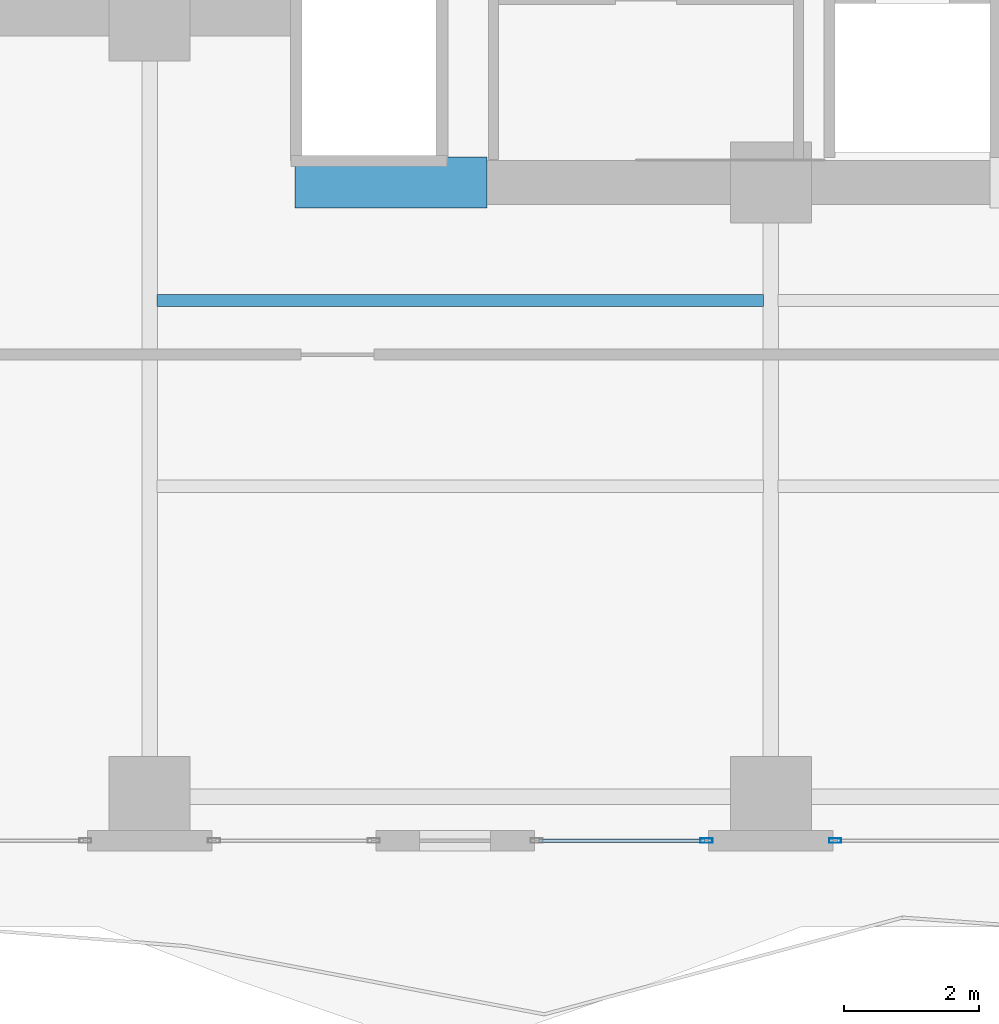
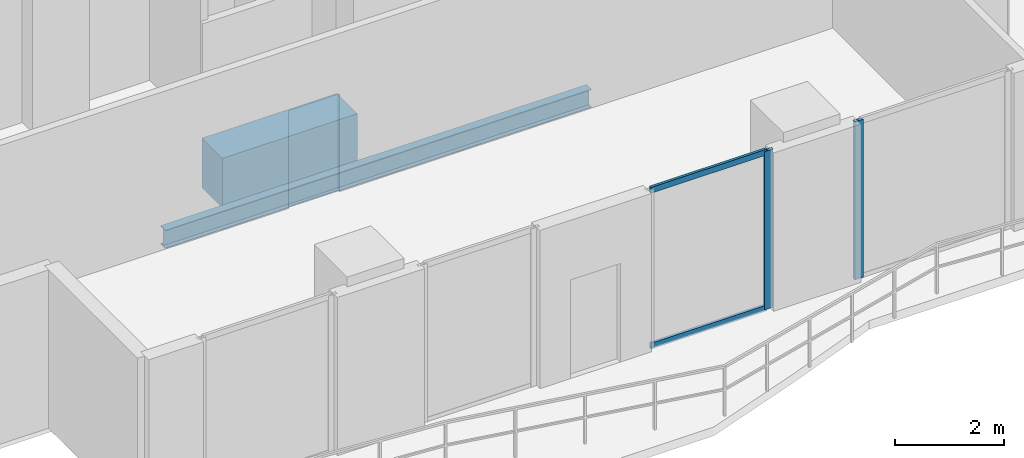
# One storey, part 5 of 32: 4 members, 2 beams, 2 elements without a shape of their own.
"""IFC4 building model written with IfcOpenShell, lengths in metres."""

from ifc_helpers import new_model, si_unit, direction, frame, origin, origin_2d, place, context, subcontext, project, spatial, rectangle, hollow_rectangle, i_section, extrude, material, layer, layer_set, material_profile, profile_set, type_object, element, aggregate, save


model = new_model("IFC4")

# Units and contexts
model_context = context("Model", 3, precision=1e-05, world=origin(), true_north=direction((0.0, 1.0)))
body_context = subcontext(model_context, "Body", "Model", "MODEL_VIEW")
ifc_project = project(units=[si_unit("LENGTHUNIT", "METRE"), si_unit("AREAUNIT", "SQUARE_METRE"), si_unit("VOLUMEUNIT", "CUBIC_METRE"), si_unit("PLANEANGLEUNIT", "RADIAN"), si_unit("MASSUNIT", "GRAM", prefix="KILO")], contexts=[model_context])

# Site, building, storey
site_placement = place(None, origin())
site = spatial("IfcSite", under=ifc_project, at=site_placement, CompositionType="ELEMENT")
building_placement = place(site_placement, origin())
building = spatial("IfcBuilding", under=site, at=building_placement, Name="Zuhayl Quay Hotel", CompositionType="ELEMENT")
storey_placement = place(building_placement, frame((0.0, 0.0, 218.64990234375)))
storey = spatial("IfcBuildingStorey", under=building, at=storey_placement, Name="L55", CompositionType="ELEMENT", Elevation=218.64990234375)

# Beams
ifc_material_1 = material(Name="Concrete C60/75", Category="concrete")
ifc_material_profile_1 = material_profile(ifc_material_1, rectangle(XDim=0.75, YDim=1.10009765625, at=origin_2d()), Name="RC750X1100")
ifc_profile_set_1 = profile_set([ifc_material_profile_1], Name="Concrete C60/75")
beam_type_1 = type_object("IfcBeamType", Name="BM_CB2_RC750", PredefinedType="T_BEAM", material=ifc_profile_set_1)
beam_1_placement = place(storey_placement, frame((-11.64990234375, 2.14990234375, -0.77001953125), z_axis=(1.0, 0.0, 0.0), x_axis=(0.0, 1.0, 0.0)))
element("IfcBeam", 1, at=beam_1_placement, inside=storey, type_object=beam_type_1, Name="L55 Core Coupling Beam SW", PredefinedType="T_BEAM", context=body_context, shape_type="SweptSolid", body=[
    extrude(rectangle(XDim=0.75, YDim=1.10009765625, at=origin_2d()), origin(), (0.0, 0.0, 1.0), 2.849853515625),
])
ifc_material_2 = material(Name="Steel ASTM A992 Grade 50", Category="steel")
ifc_material_profile_2 = material_profile(ifc_material_2, i_section(OverallWidth=0.177978515625, OverallDepth=0.406005859375, WebThickness=0.0078125, FlangeThickness=0.0126953125, at=origin_2d()), Name="W16X40")
ifc_profile_set_2 = profile_set([ifc_material_profile_2], Name="Steel ASTM A992 Grade 50")
beam_type_2 = type_object("IfcBeamType", Name="BM_J2B_W16X40", PredefinedType="JOIST", material=ifc_profile_set_2)
beam_2_placement = place(storey_placement, frame((-13.694091796875, 0.39990234375, -0.4228515625), z_axis=(1.0, 0.0, 0.0), x_axis=(0.0, 1.0, 0.0)))
element("IfcBeam", 2, at=beam_2_placement, inside=storey, type_object=beam_type_2, Name="L55 Floor Beam FJ_L55_8_1", PredefinedType="JOIST", context=body_context, shape_type="SweptSolid", body=[
    extrude(i_section(OverallWidth=0.177978515625, OverallDepth=0.406005859375, WebThickness=0.0078125, FlangeThickness=0.0126953125, at=origin_2d()), origin(), (0.0, 0.0, 1.0), 8.988037109375),
])

# Curtain wall, member
ifc_material_3 = material(Name="Anodised Aluminium 6063-T6", Category="aluminium")
ifc_layer = layer(ifc_material_3, 0.175048828125, Name="Anodised Aluminium 6063-T6", Category="aluminium")
ifc_layer_set = layer_set([ifc_layer], Name="Anodised Aluminium 6063-T6")
curtain_wall_type = type_object("IfcCurtainWallType", Name="CW_SYS_Z3", PredefinedType="USERDEFINED", material=ifc_layer_set)
curtain_wall_1_placement = place(storey_placement, origin())
curtain_wall_1 = element("IfcCurtainWall", 3, at=curtain_wall_1_placement, inside=storey, type_object=curtain_wall_type, Name="L55 Curtain Wall ENV_L55_S_CW4", ObjectType="UNITISED CURTAIN WALL", PredefinedType="USERDEFINED")
ifc_material_4 = material(Name="Black-anodised aluminium 6063-T6", Category="aluminium")
ifc_material_profile_3 = material_profile(ifc_material_4, hollow_rectangle(XDim=0.06494140625, YDim=0.179931640625, WallThickness=0.00341796875, at=origin_2d()), Name="ALU180X65")
ifc_profile_set_3 = profile_set([ifc_material_profile_3], Name="Black-anodised aluminium 6063-T6")
member_type_1 = type_object("IfcMemberType", Name="MB_CW_MUL_180", PredefinedType="MULLION", material=ifc_profile_set_3)
member_1_placement = place(storey_placement, frame((-3.6474609375, -7.60009765625, 0.0), z_axis=(0.0, 0.0, 1.0), x_axis=(0.0, -1.0, 0.0)))
member_1 = element("IfcMember", 4, at=member_1_placement, type_object=member_type_1, Name="CW-Z3 mullion 2", PredefinedType="MULLION", context=body_context, shape_type="SweptSolid", body=[
    extrude(hollow_rectangle(XDim=0.06494140625, YDim=0.179931640625, WallThickness=0.00341796875, at=origin_2d()), origin(), (0.0, 0.0, 1.0), 3.530029296875),
])
aggregate(curtain_wall_1, [member_1])

# Curtain wall, members
curtain_wall_2_placement = place(storey_placement, origin())
curtain_wall_2 = element("IfcCurtainWall", 5, at=curtain_wall_2_placement, inside=storey, type_object=curtain_wall_type, Name="L55 Curtain Wall ENV_L55_S_CW5", ObjectType="UNITISED CURTAIN WALL", PredefinedType="USERDEFINED")
member_2_placement = place(storey_placement, frame((-5.552490234375, -7.60009765625, 0.0), z_axis=(0.0, 0.0, 1.0), x_axis=(0.0, -1.0, 0.0)))
member_2 = element("IfcMember", 6, at=member_2_placement, type_object=member_type_1, Name="CW-Z3 mullion 1", PredefinedType="MULLION", context=body_context, shape_type="SweptSolid", body=[
    extrude(hollow_rectangle(XDim=0.06494140625, YDim=0.179931640625, WallThickness=0.00341796875, at=origin_2d()), origin(), (0.0, 0.0, 1.0), 3.530029296875),
])
ifc_material_profile_4 = material_profile(ifc_material_4, hollow_rectangle(XDim=0.054931640625, YDim=0.1298828125, WallThickness=0.0029296875, at=origin_2d()), Name="ALU130X55")
ifc_profile_set_4 = profile_set([ifc_material_profile_4], Name="Black-anodised aluminium 6063-T6")
member_type_2 = type_object("IfcMemberType", Name="MB_CW_TRN_130", PredefinedType="USERDEFINED", material=ifc_profile_set_4)
member_3_placement = place(storey_placement, frame((-5.5849609375, -7.60009765625, 0.027587890625), z_axis=(-1.0, 0.0, 0.0), x_axis=(0.0, -1.0, 0.0)))
member_3 = element("IfcMember", 7, at=member_3_placement, type_object=member_type_2, Name="CW-Z3 transom 1.1", ObjectType="TRANSOM", PredefinedType="USERDEFINED", context=body_context, shape_type="SweptSolid", body=[
    extrude(hollow_rectangle(XDim=0.054931640625, YDim=0.1298828125, WallThickness=0.0029296875, at=origin_2d()), origin(), (0.0, 0.0, 1.0), 2.449951171875),
])
member_4_placement = place(storey_placement, frame((-5.5849609375, -7.60009765625, 3.502685546875), z_axis=(-1.0, 0.0, 0.0), x_axis=(0.0, -1.0, 0.0)))
member_4 = element("IfcMember", 8, at=member_4_placement, type_object=member_type_2, Name="CW-Z3 transom 1.2", ObjectType="TRANSOM", PredefinedType="USERDEFINED", context=body_context, shape_type="SweptSolid", body=[
    extrude(hollow_rectangle(XDim=0.054931640625, YDim=0.1298828125, WallThickness=0.0029296875, at=origin_2d()), origin(), (0.0, 0.0, 1.0), 2.449951171875),
])
aggregate(curtain_wall_2, [member_2, member_3, member_4])

save(model, "model.ifc")
